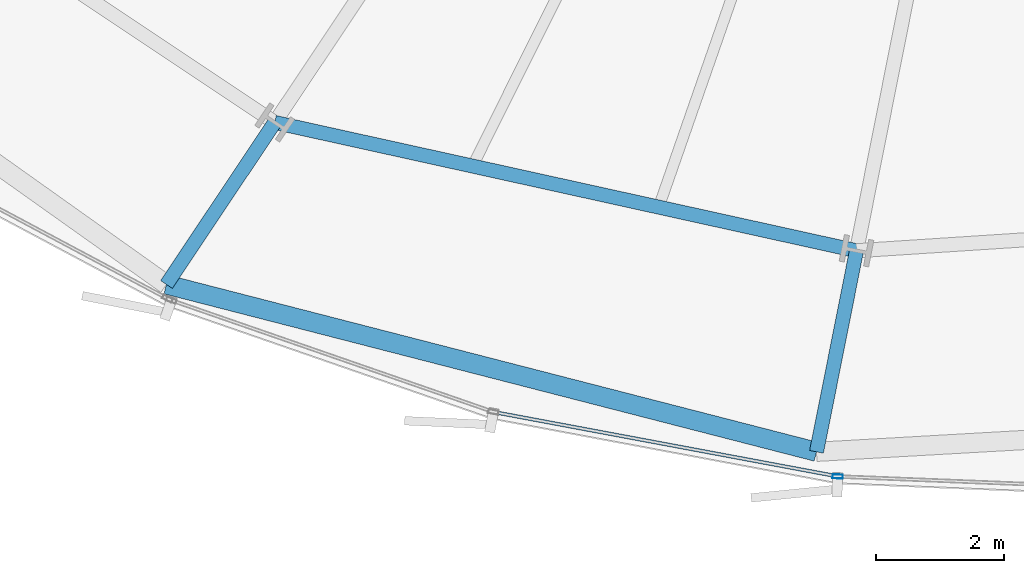
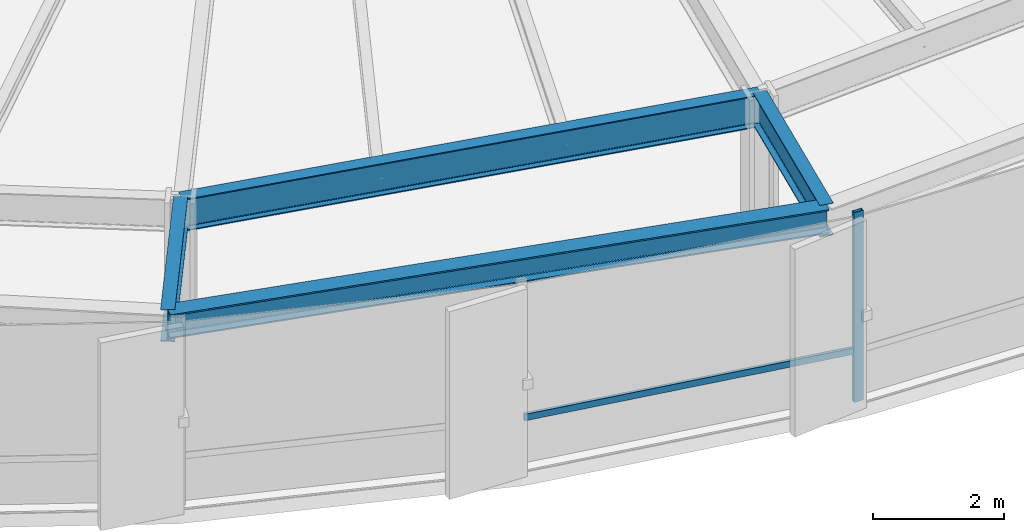
# One storey, part 5 of 42: 4 beams, 2 members, 1 element without a shape of its own.
"""IFC4 building model written with IfcOpenShell, lengths in metres."""

from ifc_helpers import new_model, si_unit, direction, frame, origin, origin_2d, place, context, subcontext, project, spatial, hollow_rectangle, i_section, extrude, source, transform, mapped, material, layer, layer_set, material_profile, profile_set, type_object, element, aggregate, save


model = new_model("IFC4")

# Units and contexts
model_context = context("Model", 3, precision=1e-05, world=origin(), true_north=direction((0.0, 1.0)))
body_context = subcontext(model_context, "Body", "Model", "MODEL_VIEW")
ifc_project = project(units=[si_unit("LENGTHUNIT", "METRE"), si_unit("AREAUNIT", "SQUARE_METRE"), si_unit("VOLUMEUNIT", "CUBIC_METRE"), si_unit("PLANEANGLEUNIT", "RADIAN"), si_unit("MASSUNIT", "GRAM", prefix="KILO"), si_unit("THERMODYNAMICTEMPERATUREUNIT", "KELVIN")], contexts=[model_context])

# Site, building, storey
site_placement = place(None, origin())
site = spatial("IfcSite", under=ifc_project, at=site_placement, CompositionType="ELEMENT")
building_placement = place(site_placement, origin())
building = spatial("IfcBuilding", under=site, at=building_placement, Name="Kethvar Cultural Tower", CompositionType="ELEMENT")
storey_placement = place(building_placement, frame((0.0, 0.0, 37.199951171875)))
storey = spatial("IfcBuildingStorey", under=building, at=storey_placement, Name="L08", CompositionType="ELEMENT", Elevation=37.199951171875)

# Beams
ifc_material_1 = material(Name="Steel S355J2", Category="steel")
ifc_material_profile_1 = material_profile(ifc_material_1, i_section(OverallWidth=0.219970703125, OverallDepth=0.60009765625, WebThickness=0.011962890625, FlangeThickness=0.01904296875, FilletRadius=0.02392578125, at=origin_2d()), Name="Steel S355J2 — IPE600")
ifc_profile_set_1 = profile_set([ifc_material_profile_1], Name="Steel S355J2 — IPE600")
beam_type_1 = type_object("IfcBeamType", Name="BM-IPE600", PredefinedType="BEAM", material=ifc_profile_set_1)
shared_shape_1 = source(origin(), body_context, "Body", "SweptSolid", [
    extrude(i_section(OverallWidth=0.219970703125, OverallDepth=0.60009765625, WebThickness=0.011962890625, FlangeThickness=0.01904296875, FilletRadius=0.02392578125, at=origin_2d()), origin(), (0.0, 0.0, 1.0), 3.2001953125),
])
beam_1_placement = place(storey_placement, frame((42.38330078125, 5.59619140625, 3.248046875), z_axis=(-0.195074368086, -0.980788453702, 0.0), x_axis=(0.980788453702, -0.195074368086, 0.0)))
element("IfcBeam", 1, at=beam_1_placement, inside=storey, type_object=beam_type_1, Name="L08 Perimeter Cantilever Beam RC-12", PredefinedType="BEAM", context=body_context, shape_type="MappedRepresentation", body=[
    mapped(shared_shape_1, transform((0.0, 0.0, 0.0), scale=1.0)),
])
shared_shape_2 = source(origin(), body_context, "Body", "SweptSolid", [
    extrude(i_section(OverallWidth=0.219970703125, OverallDepth=0.60009765625, WebThickness=0.011962890625, FlangeThickness=0.01904296875, FilletRadius=0.02392578125, at=origin_2d()), origin(), (0.0, 0.0, 1.0), 9.299560546875),
])
beam_2_placement = place(storey_placement, frame((33.302001953125, 7.598876953125, 3.248046875), z_axis=(0.976536034872, -0.21535406334, 0.0), x_axis=(0.21535406334, 0.976536034872, 0.0)))
element("IfcBeam", 2, at=beam_2_placement, inside=storey, type_object=beam_type_1, Name="L08 Column Ring Tie Beam CR-11", PredefinedType="BEAM", context=body_context, shape_type="MappedRepresentation", body=[
    mapped(shared_shape_2, transform((0.0, 0.0, 0.0), scale=1.0)),
])
shared_shape_3 = source(origin(), body_context, "Body", "SweptSolid", [
    extrude(i_section(OverallWidth=0.219970703125, OverallDepth=0.60009765625, WebThickness=0.011962890625, FlangeThickness=0.01904296875, FilletRadius=0.02392578125, at=origin_2d()), origin(), (0.0, 0.0, 1.0), 3.042724609375),
])
beam_3_placement = place(storey_placement, frame((33.302001953125, 7.598876953125, 3.248046875), z_axis=(-0.555551637879, -0.831482036878, 0.0), x_axis=(0.831482036878, -0.555551637879, 0.0)))
element("IfcBeam", 3, at=beam_3_placement, inside=storey, type_object=beam_type_1, Name="L08 Perimeter Cantilever Beam RC-11", PredefinedType="BEAM", context=body_context, shape_type="MappedRepresentation", body=[
    mapped(shared_shape_3, transform((0.0, 0.0, 0.0), scale=1.0)),
])
ifc_material_profile_2 = material_profile(ifc_material_1, i_section(OverallWidth=0.300048828125, OverallDepth=0.449951171875, WebThickness=0.013916015625, FlangeThickness=0.02587890625, FilletRadius=0.027099609375, at=origin_2d()), Name="Steel S355J2 — HEB450")
ifc_profile_set_2 = profile_set([ifc_material_profile_2], Name="Steel S355J2 — HEB450")
beam_type_2 = type_object("IfcBeamType", Name="BM-SP450", PredefinedType="SPANDREL", material=ifc_profile_set_2)
shared_shape_4 = source(origin(), body_context, "Body", "SweptSolid", [
    extrude(i_section(OverallWidth=0.300048828125, OverallDepth=0.449951171875, WebThickness=0.013916015625, FlangeThickness=0.02587890625, FilletRadius=0.027099609375, at=origin_2d()), origin(), (0.0, 0.0, 1.0), 10.47802734375),
])
beam_4_placement = place(storey_placement, frame((31.611572265625, 5.06884765625, 3.322998046875), z_axis=(0.968447315154, -0.249218373662, 0.0), x_axis=(0.249218373662, 0.968447315154, 0.0)))
element("IfcBeam", 4, at=beam_4_placement, inside=storey, type_object=beam_type_2, Name="L08 Perimeter Spandrel Beam SP-11", PredefinedType="SPANDREL", context=body_context, shape_type="MappedRepresentation", body=[
    mapped(shared_shape_4, transform((0.0, 0.0, 0.0), scale=1.0)),
])

# Curtain wall, members
ifc_material_2 = material(Name="Aluminium 6063-T6", Category="aluminium")
ifc_layer = layer(ifc_material_2, 0.179931640625, Name="Aluminium 6063-T6", Category="aluminium")
ifc_layer_set = layer_set([ifc_layer], Name="Aluminium 6063-T6 (180 mm)")
curtain_wall_type = type_object("IfcCurtainWallType", Name="CW-SYS-02-Z1", PredefinedType="NOTDEFINED", material=ifc_layer_set)
curtain_wall_placement = place(storey_placement, origin())
curtain_wall = element("IfcCurtainWall", 5, at=curtain_wall_placement, inside=storey, type_object=curtain_wall_type, Name="L08 Curtain Wall Run 05", PredefinedType="NOTDEFINED")
ifc_material_profile_3 = material_profile(ifc_material_2, hollow_rectangle(XDim=0.06494140625, YDim=0.159912109375, WallThickness=0.0048828125, at=origin_2d()), Name="Aluminium 6063-T6 — RHS160x65x5")
ifc_profile_set_3 = profile_set([ifc_material_profile_3], Name="Aluminium 6063-T6 — RHS160x65x5")
member_type_1 = type_object("IfcMemberType", Name="CW-SYS-02-Z1-MUL", PredefinedType="MULLION", material=ifc_profile_set_3)
shared_shape_5 = source(origin(), body_context, "Body", "SweptSolid", [
    extrude(hollow_rectangle(XDim=0.06494140625, YDim=0.159912109375, WallThickness=0.0048828125, at=origin_2d()), origin(), (0.0, 0.0, 1.0), 3.550048828125),
])
member_1_placement = place(storey_placement, frame((42.089599609375, 2.07275390625, 0.0), z_axis=(0.0, 0.0, 1.0), x_axis=(0.040166670972, 0.999192993642, 0.0)))
member_1 = element("IfcMember", 6, at=member_1_placement, type_object=member_type_1, Name="CW-L08-R05 Mullion 3", PredefinedType="MULLION", context=body_context, shape_type="MappedRepresentation", body=[
    mapped(shared_shape_5, transform((0.0, 0.0, 0.0), scale=1.0)),
])
ifc_material_profile_4 = material_profile(ifc_material_2, hollow_rectangle(XDim=0.054931640625, YDim=0.1201171875, WallThickness=0.00390625, at=origin_2d()), Name="Aluminium 6063-T6 — RHS120x55x4")
ifc_profile_set_4 = profile_set([ifc_material_profile_4], Name="Aluminium 6063-T6 — RHS120x55x4")
member_type_2 = type_object("IfcMemberType", Name="CW-SYS-02-Z1-TRN", PredefinedType="USERDEFINED", material=ifc_profile_set_4)
shared_shape_6 = source(origin(), body_context, "Body", "SweptSolid", [
    extrude(hollow_rectangle(XDim=0.054931640625, YDim=0.1201171875, WallThickness=0.00390625, at=origin_2d()), origin(), (0.0, 0.0, 1.0), 5.39111328125),
])
member_2_placement = place(storey_placement, frame((36.761474609375, 3.0703125, 0.949951171875), z_axis=(0.982969456426, -0.183769006458, 0.0), x_axis=(0.183769006458, 0.982969456426, 0.0)))
member_2 = element("IfcMember", 7, at=member_2_placement, type_object=member_type_2, Name="CW-L08-R05 Transom 2", ObjectType="TRANSOM", PredefinedType="USERDEFINED", context=body_context, shape_type="MappedRepresentation", body=[
    mapped(shared_shape_6, transform((0.0, 0.0, 0.0), scale=1.0)),
])
aggregate(curtain_wall, [member_1, member_2])

save(model, "model.ifc")
